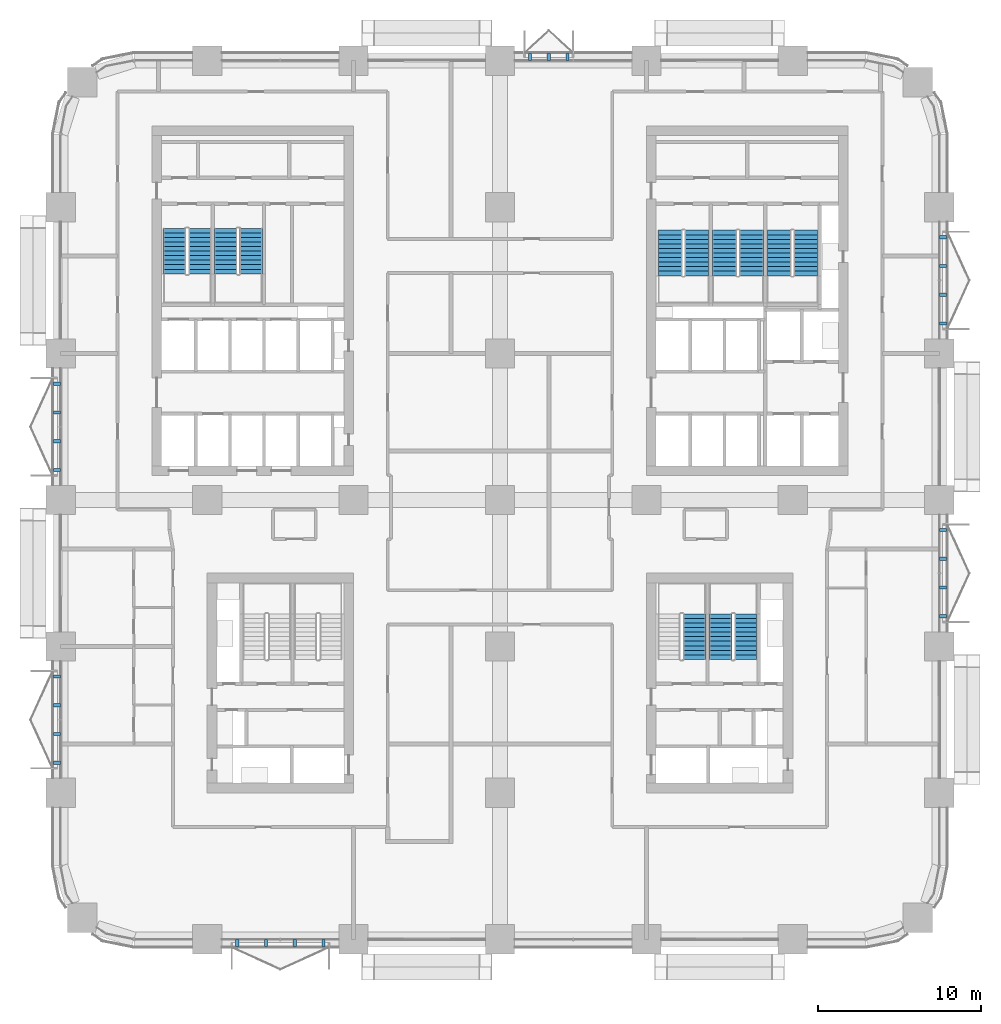
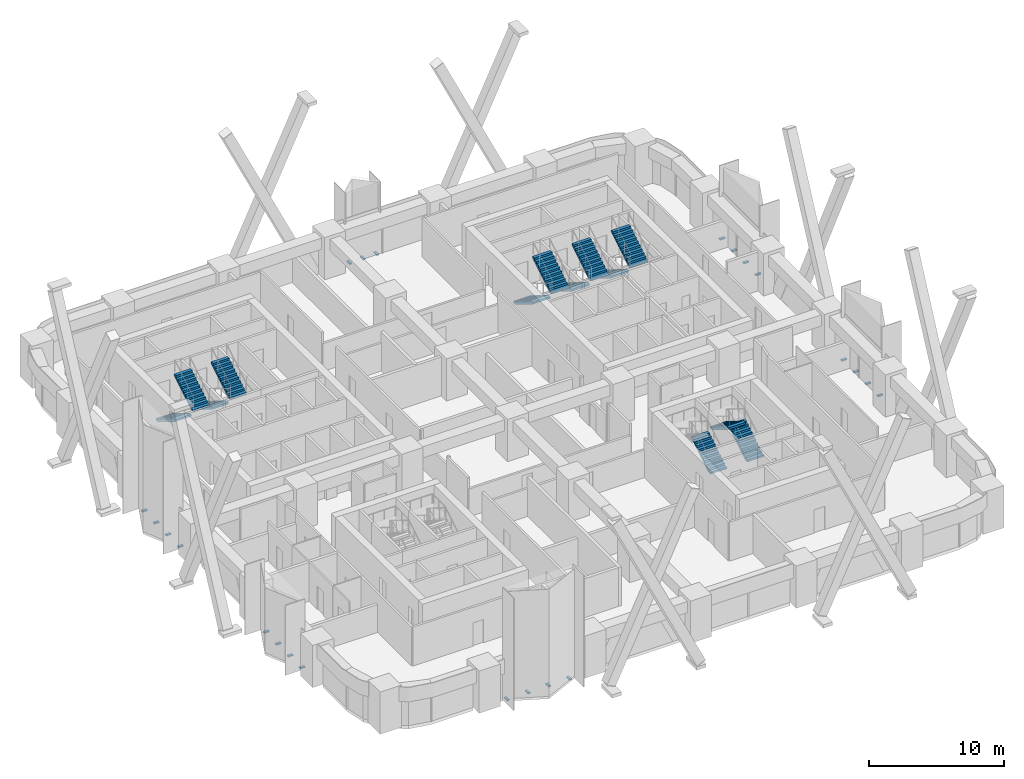
# One storey, part 20 of 23: 23 discrete accessories, 13 stair flights, 7 elements without a shape of their own.
"""IFC4 building model written with IfcOpenShell, lengths in metres."""

from ifc_helpers import new_model, si_unit, direction, frame, origin, origin_2d, place, context, subcontext, project, spatial, polyline, rectangle, outline, extrude, material, type_object, element, aggregate, save


model = new_model("IFC4")

# Units and contexts
model_context = context("Model", 3, precision=1e-05, world=origin(), true_north=direction((0.0, 1.0)))
body_context = subcontext(model_context, "Body", "Model", "MODEL_VIEW")
ifc_project = project(units=[si_unit("LENGTHUNIT", "METRE"), si_unit("AREAUNIT", "SQUARE_METRE"), si_unit("VOLUMEUNIT", "CUBIC_METRE"), si_unit("PLANEANGLEUNIT", "RADIAN"), si_unit("MASSUNIT", "GRAM", prefix="KILO")], contexts=[model_context])

# Site, building, storey
site_placement = place(None, origin())
site = spatial("IfcSite", under=ifc_project, at=site_placement, CompositionType="ELEMENT")
building_placement = place(site_placement, origin())
building = spatial("IfcBuilding", under=site, at=building_placement, Name="Tessera Arch", CompositionType="ELEMENT")
storey_placement = place(building_placement, frame((0.0, 0.0, 46.199951171875)))
storey = spatial("IfcBuildingStorey", under=building, at=storey_placement, Name="L09", CompositionType="ELEMENT", Elevation=46.199951171875)

# Stair, stair flights
ifc_material_1 = material(Name="Concrete C40/50", Category="concrete")
stair_type_1 = type_object("IfcStairType", Name="Dogleg stair 1400", PredefinedType="HALF_TURN_STAIR", material=ifc_material_1)
stair_1_placement = place(storey_placement, origin())
stair_1 = element("IfcStair", 1, at=stair_1_placement, inside=storey, type_object=stair_type_1, Name="L09 S2a", PredefinedType="HALF_TURN_STAIR")
ifc_material_2 = material(Name="Concrete C40/50", Category="concrete")
stair_flight_type_1 = type_object("IfcStairFlightType", Name="Stair flight 1400", PredefinedType="STRAIGHT", material=ifc_material_2)
stair_flight_1_placement = place(storey_placement, frame((7.0, 43.699951171875, 0.0), z_axis=(0.0, 0.0, 1.0), x_axis=(0.0, -1.0, 0.0)))
stair_flight_1 = element("IfcStairFlight", 2, at=stair_flight_1_placement, type_object=stair_flight_type_1, Name="S2a flight 1", NumberOfRisers=11, NumberOfTreads=10, PredefinedType="STRAIGHT", RiserHeight=0.172727273, TreadLength=0.28, context=body_context, shape_type="SweptSolid", body=[
    extrude(outline(polyline([(0.0, 0.0), (0.0, 0.172607421875), (0.280029296875, 0.172607421875), (0.280029296875, 0.345458984375), (0.56005859375, 0.345458984375), (0.56005859375, 0.51806640625), (0.840087890625, 0.51806640625), (0.840087890625, 0.69091796875), (1.1201171875, 0.69091796875), (1.1201171875, 0.863525390625), (1.39990234375, 0.863525390625), (1.39990234375, 1.036376953125), (1.679931640625, 1.036376953125), (1.679931640625, 1.208984375), (1.9599609375, 1.208984375), (1.9599609375, 1.3818359375), (2.239990234375, 1.3818359375), (2.239990234375, 1.554443359375), (2.52001953125, 1.554443359375), (2.52001953125, 1.727294921875), (2.800048828125, 1.727294921875), (2.800048828125, 1.89990234375), (2.800048828125, 1.551025390625), (0.285400390625, 0.0), (0.0, 0.0)])), frame((0.0, 0.699951171875, 0.0), z_axis=(0.0, -1.0, 0.0), x_axis=(1.0, 0.0, 0.0)), (0.0, 0.0, 1.0), 1.39990234375),
])
stair_flight_2_placement = place(storey_placement, frame((8.550048828125, 40.89990234375, 1.900146484375), z_axis=(0.0, 0.0, 1.0), x_axis=(0.0, 1.0, 0.0)))
stair_flight_2 = element("IfcStairFlight", 3, at=stair_flight_2_placement, type_object=stair_flight_type_1, Name="S2a flight 2", NumberOfRisers=11, NumberOfTreads=10, PredefinedType="STRAIGHT", RiserHeight=0.172727273, TreadLength=0.28, context=body_context, shape_type="SweptSolid", body=[
    extrude(outline(polyline([(0.0, 0.0), (0.0, 0.172607421875), (0.280029296875, 0.172607421875), (0.280029296875, 0.345458984375), (0.56005859375, 0.345458984375), (0.56005859375, 0.51806640625), (0.840087890625, 0.51806640625), (0.840087890625, 0.69091796875), (1.1201171875, 0.69091796875), (1.1201171875, 0.863525390625), (1.39990234375, 0.863525390625), (1.39990234375, 1.036376953125), (1.679931640625, 1.036376953125), (1.679931640625, 1.208984375), (1.9599609375, 1.208984375), (1.9599609375, 1.3818359375), (2.239990234375, 1.3818359375), (2.239990234375, 1.554443359375), (2.52001953125, 1.554443359375), (2.52001953125, 1.727294921875), (2.800048828125, 1.727294921875), (2.800048828125, 1.89990234375), (2.800048828125, 1.551025390625), (0.285400390625, 0.0), (0.0, 0.0)])), frame((0.0, 0.699951171875, 0.0), z_axis=(0.0, -1.0, 0.0), x_axis=(1.0, 0.0, 0.0)), (0.0, 0.0, 1.0), 1.39990234375),
])
aggregate(stair_1, [stair_flight_1, stair_flight_2])

stair_2_placement = place(storey_placement, origin())
stair_2 = element("IfcStair", 4, at=stair_2_placement, inside=storey, type_object=stair_type_1, Name="L09 S2b", PredefinedType="HALF_TURN_STAIR")
stair_flight_3_placement = place(storey_placement, frame((10.14990234375, 43.699951171875, 0.0), z_axis=(0.0, 0.0, 1.0), x_axis=(0.0, -1.0, 0.0)))
stair_flight_3 = element("IfcStairFlight", 5, at=stair_flight_3_placement, type_object=stair_flight_type_1, Name="S2b flight 1", NumberOfRisers=11, NumberOfTreads=10, PredefinedType="STRAIGHT", RiserHeight=0.172727273, TreadLength=0.28, context=body_context, shape_type="SweptSolid", body=[
    extrude(outline(polyline([(0.0, 0.0), (0.0, 0.172607421875), (0.280029296875, 0.172607421875), (0.280029296875, 0.345458984375), (0.56005859375, 0.345458984375), (0.56005859375, 0.51806640625), (0.840087890625, 0.51806640625), (0.840087890625, 0.69091796875), (1.1201171875, 0.69091796875), (1.1201171875, 0.863525390625), (1.39990234375, 0.863525390625), (1.39990234375, 1.036376953125), (1.679931640625, 1.036376953125), (1.679931640625, 1.208984375), (1.9599609375, 1.208984375), (1.9599609375, 1.3818359375), (2.239990234375, 1.3818359375), (2.239990234375, 1.554443359375), (2.52001953125, 1.554443359375), (2.52001953125, 1.727294921875), (2.800048828125, 1.727294921875), (2.800048828125, 1.89990234375), (2.800048828125, 1.551025390625), (0.285400390625, 0.0), (0.0, 0.0)])), frame((0.0, 0.699951171875, 0.0), z_axis=(0.0, -1.0, 0.0), x_axis=(1.0, 0.0, 0.0)), (0.0, 0.0, 1.0), 1.39990234375),
])
stair_flight_4_placement = place(storey_placement, frame((11.699951171875, 40.89990234375, 1.900146484375), z_axis=(0.0, 0.0, 1.0), x_axis=(0.0, 1.0, 0.0)))
stair_flight_4 = element("IfcStairFlight", 6, at=stair_flight_4_placement, type_object=stair_flight_type_1, Name="S2b flight 2", NumberOfRisers=11, NumberOfTreads=10, PredefinedType="STRAIGHT", RiserHeight=0.172727273, TreadLength=0.28, context=body_context, shape_type="SweptSolid", body=[
    extrude(outline(polyline([(0.0, 0.0), (0.0, 0.172607421875), (0.280029296875, 0.172607421875), (0.280029296875, 0.345458984375), (0.56005859375, 0.345458984375), (0.56005859375, 0.51806640625), (0.840087890625, 0.51806640625), (0.840087890625, 0.69091796875), (1.1201171875, 0.69091796875), (1.1201171875, 0.863525390625), (1.39990234375, 0.863525390625), (1.39990234375, 1.036376953125), (1.679931640625, 1.036376953125), (1.679931640625, 1.208984375), (1.9599609375, 1.208984375), (1.9599609375, 1.3818359375), (2.239990234375, 1.3818359375), (2.239990234375, 1.554443359375), (2.52001953125, 1.554443359375), (2.52001953125, 1.727294921875), (2.800048828125, 1.727294921875), (2.800048828125, 1.89990234375), (2.800048828125, 1.551025390625), (0.285400390625, 0.0), (0.0, 0.0)])), frame((0.0, 0.699951171875, 0.0), z_axis=(0.0, -1.0, 0.0), x_axis=(1.0, 0.0, 0.0)), (0.0, 0.0, 1.0), 1.39990234375),
])
aggregate(stair_2, [stair_flight_3, stair_flight_4])

# Stair, stair flight
stair_3_placement = place(storey_placement, origin())
stair_3 = element("IfcStair", 7, at=stair_3_placement, inside=storey, type_object=stair_type_1, Name="L09 S3a", PredefinedType="HALF_TURN_STAIR")
stair_flight_5_placement = place(storey_placement, frame((38.949951171875, 17.199951171875, 0.0), z_axis=(0.0, 0.0, 1.0), x_axis=(0.0, 1.0, 0.0)))
stair_flight_5 = element("IfcStairFlight", 8, at=stair_flight_5_placement, type_object=stair_flight_type_1, Name="S3a flight 1", NumberOfRisers=11, NumberOfTreads=10, PredefinedType="STRAIGHT", RiserHeight=0.172727273, TreadLength=0.28, context=body_context, shape_type="SweptSolid", body=[
    extrude(outline(polyline([(0.0, 0.0), (0.0, 0.172607421875), (0.280029296875, 0.172607421875), (0.280029296875, 0.345458984375), (0.56005859375, 0.345458984375), (0.56005859375, 0.51806640625), (0.840087890625, 0.51806640625), (0.840087890625, 0.69091796875), (1.1201171875, 0.69091796875), (1.1201171875, 0.863525390625), (1.39990234375, 0.863525390625), (1.39990234375, 1.036376953125), (1.679931640625, 1.036376953125), (1.679931640625, 1.208984375), (1.9599609375, 1.208984375), (1.9599609375, 1.3818359375), (2.239990234375, 1.3818359375), (2.239990234375, 1.554443359375), (2.52001953125, 1.554443359375), (2.52001953125, 1.727294921875), (2.800048828125, 1.727294921875), (2.800048828125, 1.89990234375), (2.800048828125, 1.551025390625), (0.285400390625, 0.0), (0.0, 0.0)])), frame((0.0, 0.699951171875, 0.0), z_axis=(0.0, -1.0, 0.0), x_axis=(1.0, 0.0, 0.0)), (0.0, 0.0, 1.0), 1.39990234375),
])
aggregate(stair_3, [stair_flight_5])

# Stair, stair flights
stair_4_placement = place(storey_placement, origin())
stair_4 = element("IfcStair", 9, at=stair_4_placement, inside=storey, type_object=stair_type_1, Name="L09 S3b", PredefinedType="HALF_TURN_STAIR")
stair_flight_6_placement = place(storey_placement, frame((42.10009765625, 17.199951171875, 0.0), z_axis=(0.0, 0.0, 1.0), x_axis=(0.0, 1.0, 0.0)))
stair_flight_6 = element("IfcStairFlight", 10, at=stair_flight_6_placement, type_object=stair_flight_type_1, Name="S3b flight 1", NumberOfRisers=11, NumberOfTreads=10, PredefinedType="STRAIGHT", RiserHeight=0.172727273, TreadLength=0.28, context=body_context, shape_type="SweptSolid", body=[
    extrude(outline(polyline([(0.0, 0.0), (0.0, 0.172607421875), (0.280029296875, 0.172607421875), (0.280029296875, 0.345458984375), (0.56005859375, 0.345458984375), (0.56005859375, 0.51806640625), (0.840087890625, 0.51806640625), (0.840087890625, 0.69091796875), (1.1201171875, 0.69091796875), (1.1201171875, 0.863525390625), (1.39990234375, 0.863525390625), (1.39990234375, 1.036376953125), (1.679931640625, 1.036376953125), (1.679931640625, 1.208984375), (1.9599609375, 1.208984375), (1.9599609375, 1.3818359375), (2.239990234375, 1.3818359375), (2.239990234375, 1.554443359375), (2.52001953125, 1.554443359375), (2.52001953125, 1.727294921875), (2.800048828125, 1.727294921875), (2.800048828125, 1.89990234375), (2.800048828125, 1.551025390625), (0.285400390625, 0.0), (0.0, 0.0)])), frame((0.0, 0.699951171875, 0.0), z_axis=(0.0, -1.0, 0.0), x_axis=(1.0, 0.0, 0.0)), (0.0, 0.0, 1.0), 1.39990234375),
])
stair_flight_7_placement = place(storey_placement, frame((40.550048828125, 20.0, 1.900146484375), z_axis=(0.0, 0.0, 1.0), x_axis=(0.0, -1.0, 0.0)))
stair_flight_7 = element("IfcStairFlight", 11, at=stair_flight_7_placement, type_object=stair_flight_type_1, Name="S3b flight 2", NumberOfRisers=11, NumberOfTreads=10, PredefinedType="STRAIGHT", RiserHeight=0.172727273, TreadLength=0.28, context=body_context, shape_type="SweptSolid", body=[
    extrude(outline(polyline([(0.0, 0.0), (0.0, 0.172607421875), (0.280029296875, 0.172607421875), (0.280029296875, 0.345458984375), (0.56005859375, 0.345458984375), (0.56005859375, 0.51806640625), (0.840087890625, 0.51806640625), (0.840087890625, 0.69091796875), (1.1201171875, 0.69091796875), (1.1201171875, 0.863525390625), (1.39990234375, 0.863525390625), (1.39990234375, 1.036376953125), (1.679931640625, 1.036376953125), (1.679931640625, 1.208984375), (1.9599609375, 1.208984375), (1.9599609375, 1.3818359375), (2.239990234375, 1.3818359375), (2.239990234375, 1.554443359375), (2.52001953125, 1.554443359375), (2.52001953125, 1.727294921875), (2.800048828125, 1.727294921875), (2.800048828125, 1.89990234375), (2.800048828125, 1.551025390625), (0.285400390625, 0.0), (0.0, 0.0)])), frame((0.0, 0.699951171875, 0.0), z_axis=(0.0, -1.0, 0.0), x_axis=(1.0, 0.0, 0.0)), (0.0, 0.0, 1.0), 1.39990234375),
])
aggregate(stair_4, [stair_flight_6, stair_flight_7])

ifc_material_3 = material(Name="Concrete C40/50", Category="concrete")
stair_type_2 = type_object("IfcStairType", Name="Dogleg stair 1520", PredefinedType="HALF_TURN_STAIR", material=ifc_material_3)
stair_5_placement = place(storey_placement, origin())
stair_5 = element("IfcStair", 12, at=stair_5_placement, inside=storey, type_object=stair_type_2, Name="L09 S1a", PredefinedType="HALF_TURN_STAIR")
ifc_material_4 = material(Name="Concrete C40/50", Category="concrete")
stair_flight_type_2 = type_object("IfcStairFlightType", Name="Stair flight 1520", PredefinedType="STRAIGHT", material=ifc_material_4)
stair_flight_8_placement = place(storey_placement, frame((37.4599609375, 43.580078125, 0.0), z_axis=(0.0, 0.0, 1.0), x_axis=(0.0, -1.0, 0.0)))
stair_flight_8 = element("IfcStairFlight", 13, at=stair_flight_8_placement, type_object=stair_flight_type_2, Name="S1a flight 1", NumberOfRisers=11, NumberOfTreads=10, PredefinedType="STRAIGHT", RiserHeight=0.172727273, TreadLength=0.28, context=body_context, shape_type="SweptSolid", body=[
    extrude(outline(polyline([(0.0, 0.0), (0.0, 0.172607421875), (0.280029296875, 0.172607421875), (0.280029296875, 0.345458984375), (0.56005859375, 0.345458984375), (0.56005859375, 0.51806640625), (0.840087890625, 0.51806640625), (0.840087890625, 0.69091796875), (1.1201171875, 0.69091796875), (1.1201171875, 0.863525390625), (1.39990234375, 0.863525390625), (1.39990234375, 1.036376953125), (1.679931640625, 1.036376953125), (1.679931640625, 1.208984375), (1.9599609375, 1.208984375), (1.9599609375, 1.3818359375), (2.239990234375, 1.3818359375), (2.239990234375, 1.554443359375), (2.52001953125, 1.554443359375), (2.52001953125, 1.727294921875), (2.800048828125, 1.727294921875), (2.800048828125, 1.89990234375), (2.800048828125, 1.551025390625), (0.285400390625, 0.0), (0.0, 0.0)])), frame((0.0, 0.760009765625, 0.0), z_axis=(0.0, -1.0, 0.0), x_axis=(1.0, 0.0, 0.0)), (0.0, 0.0, 1.0), 1.52001953125),
])
stair_flight_9_placement = place(storey_placement, frame((39.090087890625, 40.780029296875, 1.900146484375), z_axis=(0.0, 0.0, 1.0), x_axis=(0.0, 1.0, 0.0)))
stair_flight_9 = element("IfcStairFlight", 14, at=stair_flight_9_placement, type_object=stair_flight_type_2, Name="S1a flight 2", NumberOfRisers=11, NumberOfTreads=10, PredefinedType="STRAIGHT", RiserHeight=0.172727273, TreadLength=0.28, context=body_context, shape_type="SweptSolid", body=[
    extrude(outline(polyline([(0.0, 0.0), (0.0, 0.172607421875), (0.280029296875, 0.172607421875), (0.280029296875, 0.345458984375), (0.56005859375, 0.345458984375), (0.56005859375, 0.51806640625), (0.840087890625, 0.51806640625), (0.840087890625, 0.69091796875), (1.1201171875, 0.69091796875), (1.1201171875, 0.863525390625), (1.39990234375, 0.863525390625), (1.39990234375, 1.036376953125), (1.679931640625, 1.036376953125), (1.679931640625, 1.208984375), (1.9599609375, 1.208984375), (1.9599609375, 1.3818359375), (2.239990234375, 1.3818359375), (2.239990234375, 1.554443359375), (2.52001953125, 1.554443359375), (2.52001953125, 1.727294921875), (2.800048828125, 1.727294921875), (2.800048828125, 1.89990234375), (2.800048828125, 1.551025390625), (0.285400390625, 0.0), (0.0, 0.0)])), frame((0.0, 0.760009765625, 0.0), z_axis=(0.0, -1.0, 0.0), x_axis=(1.0, 0.0, 0.0)), (0.0, 0.0, 1.0), 1.52001953125),
])
aggregate(stair_5, [stair_flight_8, stair_flight_9])

stair_6_placement = place(storey_placement, origin())
stair_6 = element("IfcStair", 15, at=stair_6_placement, inside=storey, type_object=stair_type_2, Name="L09 S1b", PredefinedType="HALF_TURN_STAIR")
stair_flight_10_placement = place(storey_placement, frame((40.81005859375, 43.580078125, 0.0), z_axis=(0.0, 0.0, 1.0), x_axis=(0.0, -1.0, 0.0)))
stair_flight_10 = element("IfcStairFlight", 16, at=stair_flight_10_placement, type_object=stair_flight_type_2, Name="S1b flight 1", NumberOfRisers=11, NumberOfTreads=10, PredefinedType="STRAIGHT", RiserHeight=0.172727273, TreadLength=0.28, context=body_context, shape_type="SweptSolid", body=[
    extrude(outline(polyline([(0.0, 0.0), (0.0, 0.172607421875), (0.280029296875, 0.172607421875), (0.280029296875, 0.345458984375), (0.56005859375, 0.345458984375), (0.56005859375, 0.51806640625), (0.840087890625, 0.51806640625), (0.840087890625, 0.69091796875), (1.1201171875, 0.69091796875), (1.1201171875, 0.863525390625), (1.39990234375, 0.863525390625), (1.39990234375, 1.036376953125), (1.679931640625, 1.036376953125), (1.679931640625, 1.208984375), (1.9599609375, 1.208984375), (1.9599609375, 1.3818359375), (2.239990234375, 1.3818359375), (2.239990234375, 1.554443359375), (2.52001953125, 1.554443359375), (2.52001953125, 1.727294921875), (2.800048828125, 1.727294921875), (2.800048828125, 1.89990234375), (2.800048828125, 1.551025390625), (0.285400390625, 0.0), (0.0, 0.0)])), frame((0.0, 0.760009765625, 0.0), z_axis=(0.0, -1.0, 0.0), x_axis=(1.0, 0.0, 0.0)), (0.0, 0.0, 1.0), 1.52001953125),
])
stair_flight_11_placement = place(storey_placement, frame((42.43994140625, 40.780029296875, 1.900146484375), z_axis=(0.0, 0.0, 1.0), x_axis=(0.0, 1.0, 0.0)))
stair_flight_11 = element("IfcStairFlight", 17, at=stair_flight_11_placement, type_object=stair_flight_type_2, Name="S1b flight 2", NumberOfRisers=11, NumberOfTreads=10, PredefinedType="STRAIGHT", RiserHeight=0.172727273, TreadLength=0.28, context=body_context, shape_type="SweptSolid", body=[
    extrude(outline(polyline([(0.0, 0.0), (0.0, 0.172607421875), (0.280029296875, 0.172607421875), (0.280029296875, 0.345458984375), (0.56005859375, 0.345458984375), (0.56005859375, 0.51806640625), (0.840087890625, 0.51806640625), (0.840087890625, 0.69091796875), (1.1201171875, 0.69091796875), (1.1201171875, 0.863525390625), (1.39990234375, 0.863525390625), (1.39990234375, 1.036376953125), (1.679931640625, 1.036376953125), (1.679931640625, 1.208984375), (1.9599609375, 1.208984375), (1.9599609375, 1.3818359375), (2.239990234375, 1.3818359375), (2.239990234375, 1.554443359375), (2.52001953125, 1.554443359375), (2.52001953125, 1.727294921875), (2.800048828125, 1.727294921875), (2.800048828125, 1.89990234375), (2.800048828125, 1.551025390625), (0.285400390625, 0.0), (0.0, 0.0)])), frame((0.0, 0.760009765625, 0.0), z_axis=(0.0, -1.0, 0.0), x_axis=(1.0, 0.0, 0.0)), (0.0, 0.0, 1.0), 1.52001953125),
])
aggregate(stair_6, [stair_flight_10, stair_flight_11])

stair_7_placement = place(storey_placement, origin())
stair_7 = element("IfcStair", 18, at=stair_7_placement, inside=storey, type_object=stair_type_2, Name="L09 S1c", PredefinedType="HALF_TURN_STAIR")
stair_flight_12_placement = place(storey_placement, frame((44.159912109375, 43.580078125, 0.0), z_axis=(0.0, 0.0, 1.0), x_axis=(0.0, -1.0, 0.0)))
stair_flight_12 = element("IfcStairFlight", 19, at=stair_flight_12_placement, type_object=stair_flight_type_2, Name="S1c flight 1", NumberOfRisers=11, NumberOfTreads=10, PredefinedType="STRAIGHT", RiserHeight=0.172727273, TreadLength=0.28, context=body_context, shape_type="SweptSolid", body=[
    extrude(outline(polyline([(0.0, 0.0), (0.0, 0.172607421875), (0.280029296875, 0.172607421875), (0.280029296875, 0.345458984375), (0.56005859375, 0.345458984375), (0.56005859375, 0.51806640625), (0.840087890625, 0.51806640625), (0.840087890625, 0.69091796875), (1.1201171875, 0.69091796875), (1.1201171875, 0.863525390625), (1.39990234375, 0.863525390625), (1.39990234375, 1.036376953125), (1.679931640625, 1.036376953125), (1.679931640625, 1.208984375), (1.9599609375, 1.208984375), (1.9599609375, 1.3818359375), (2.239990234375, 1.3818359375), (2.239990234375, 1.554443359375), (2.52001953125, 1.554443359375), (2.52001953125, 1.727294921875), (2.800048828125, 1.727294921875), (2.800048828125, 1.89990234375), (2.800048828125, 1.551025390625), (0.285400390625, 0.0), (0.0, 0.0)])), frame((0.0, 0.760009765625, 0.0), z_axis=(0.0, -1.0, 0.0), x_axis=(1.0, 0.0, 0.0)), (0.0, 0.0, 1.0), 1.52001953125),
])
stair_flight_13_placement = place(storey_placement, frame((45.7900390625, 40.780029296875, 1.900146484375), z_axis=(0.0, 0.0, 1.0), x_axis=(0.0, 1.0, 0.0)))
stair_flight_13 = element("IfcStairFlight", 20, at=stair_flight_13_placement, type_object=stair_flight_type_2, Name="S1c flight 2", NumberOfRisers=11, NumberOfTreads=10, PredefinedType="STRAIGHT", RiserHeight=0.172727273, TreadLength=0.28, context=body_context, shape_type="SweptSolid", body=[
    extrude(outline(polyline([(0.0, 0.0), (0.0, 0.172607421875), (0.280029296875, 0.172607421875), (0.280029296875, 0.345458984375), (0.56005859375, 0.345458984375), (0.56005859375, 0.51806640625), (0.840087890625, 0.51806640625), (0.840087890625, 0.69091796875), (1.1201171875, 0.69091796875), (1.1201171875, 0.863525390625), (1.39990234375, 0.863525390625), (1.39990234375, 1.036376953125), (1.679931640625, 1.036376953125), (1.679931640625, 1.208984375), (1.9599609375, 1.208984375), (1.9599609375, 1.3818359375), (2.239990234375, 1.3818359375), (2.239990234375, 1.554443359375), (2.52001953125, 1.554443359375), (2.52001953125, 1.727294921875), (2.800048828125, 1.727294921875), (2.800048828125, 1.89990234375), (2.800048828125, 1.551025390625), (0.285400390625, 0.0), (0.0, 0.0)])), frame((0.0, 0.760009765625, 0.0), z_axis=(0.0, -1.0, 0.0), x_axis=(1.0, 0.0, 0.0)), (0.0, 0.0, 1.0), 1.52001953125),
])
aggregate(stair_7, [stair_flight_12, stair_flight_13])

# Discrete accessories
for number, where, z_axis, x_axis, name in (
    (21, (54.219970703125, 37.85009765625, -0.1201171875), (0.0, 0.0, 1.0), (1.0, 0.0, 0.0), "Window box bracket"),
    (22, (54.219970703125, 39.61669921875, -0.1201171875), (0.0, 0.0, 1.0), (1.0, 0.0, 0.0), "Window box bracket"),
    (23, (54.219970703125, 41.38330078125, -0.1201171875), (0.0, 0.0, 1.0), (1.0, 0.0, 0.0), "Window box bracket"),
    (24, (54.219970703125, 43.14990234375, -0.1201171875), (0.0, 0.0, 1.0), (1.0, 0.0, 0.0), "Window box bracket"),
    (25, (10.85009765625, -0.219970703125, -0.1201171875), (0.0, 0.0, 1.0), (0.0, -1.0, 0.0), "Window box bracket"),
    (26, (12.61669921875, -0.219970703125, -0.1201171875), (0.0, 0.0, 1.0), (0.0, -1.0, 0.0), "Window box bracket"),
    (27, (14.38330078125, -0.219970703125, -0.1201171875), (0.0, 0.0, 1.0), (0.0, -1.0, 0.0), "Window box bracket"),
    (28, (16.14990234375, -0.219970703125, -0.1201171875), (0.0, 0.0, 1.0), (0.0, -1.0, 0.0), "Window box bracket"),
    (29, (-0.219970703125, 16.14990234375, -0.1201171875), (0.0, 0.0, 1.0), (-1.0, 0.0, 0.0), "Window box bracket"),
    (30, (-0.219970703125, 14.38330078125, -0.1201171875), (0.0, 0.0, 1.0), (-1.0, 0.0, 0.0), "Window box bracket"),
    (31, (-0.219970703125, 12.61669921875, -0.1201171875), (0.0, 0.0, 1.0), (-1.0, 0.0, 0.0), "Window box bracket"),
    (32, (-0.219970703125, 10.85009765625, -0.1201171875), (0.0, 0.0, 1.0), (-1.0, 0.0, 0.0), "Window box bracket"),
    (33, (31.14990234375, 54.219970703125, -0.1201171875), (0.0, 0.0, 1.0), (0.0, 1.0, 0.0), "Window box bracket"),
    (34, (30.0, 54.219970703125, -0.1201171875), (0.0, 0.0, 1.0), (0.0, 1.0, 0.0), "Window box bracket"),
    (35, (28.85009765625, 54.219970703125, -0.1201171875), (0.0, 0.0, 1.0), (0.0, 1.0, 0.0), "Window box bracket"),
    (36, (-0.219970703125, 34.14990234375, -0.1201171875), (0.0, 0.0, 1.0), (-1.0, 0.0, 0.0), "Window box bracket"),
    (37, (-0.219970703125, 32.38330078125, -0.1201171875), (0.0, 0.0, 1.0), (-1.0, 0.0, 0.0), "Window box bracket"),
    (38, (-0.219970703125, 30.61669921875, -0.1201171875), (0.0, 0.0, 1.0), (-1.0, 0.0, 0.0), "Window box bracket"),
    (39, (-0.219970703125, 28.85009765625, -0.1201171875), (0.0, 0.0, 1.0), (-1.0, 0.0, 0.0), "Window box bracket"),
    (40, (54.219970703125, 19.85009765625, -0.1201171875), (0.0, 0.0, 1.0), (1.0, 0.0, 0.0), "Window box bracket"),
    (41, (54.219970703125, 21.61669921875, -0.1201171875), (0.0, 0.0, 1.0), (1.0, 0.0, 0.0), "Window box bracket"),
    (42, (54.219970703125, 23.38330078125, -0.1201171875), (0.0, 0.0, 1.0), (1.0, 0.0, 0.0), "Window box bracket"),
    (43, (54.219970703125, 25.14990234375, -0.1201171875), (0.0, 0.0, 1.0), (1.0, 0.0, 0.0), "Window box bracket"),
):
    element("IfcDiscreteAccessory", number, at=place(storey_placement, frame(where, z_axis=z_axis, x_axis=x_axis)), inside=storey, Name=name, PredefinedType="BRACKET", context=body_context, shape_type="SweptSolid", body=[
        extrude(rectangle(XDim=0.43994140625, YDim=0.199951171875, at=origin_2d()), origin(), (0.0, 0.0, 1.0), 0.1201171875),
    ])

save(model, "model.ifc")
